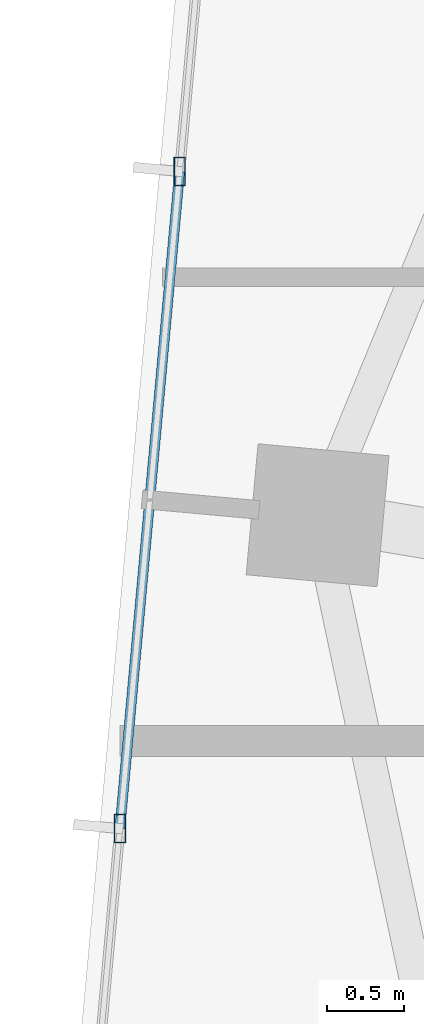
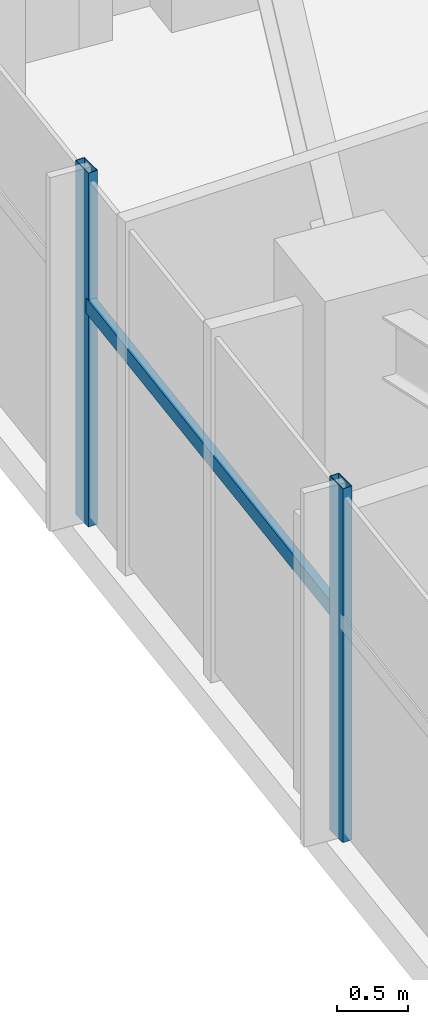
# One storey, part 4 of 22: 3 members, 1 element without a shape of its own.
"""IFC4 building model written with IfcOpenShell, lengths in metres."""

from ifc_helpers import new_model, si_unit, direction, frame, origin, origin_2d, place, context, subcontext, project, spatial, hollow_rectangle, extrude, source, transform, mapped, material, material_profile, profile_set, type_object, type_shapes, element, aggregate, save


model = new_model("IFC4")

# Units and contexts
model_context = context("Model", 3, precision=1e-05, world=origin(), true_north=direction((0.0, 1.0)))
body_context = subcontext(model_context, "Body", "Model", "MODEL_VIEW")
ifc_project = project(units=[si_unit("LENGTHUNIT", "METRE"), si_unit("AREAUNIT", "SQUARE_METRE"), si_unit("VOLUMEUNIT", "CUBIC_METRE"), si_unit("PLANEANGLEUNIT", "RADIAN"), si_unit("MASSUNIT", "GRAM", prefix="KILO")], contexts=[model_context])

# Site, building, storey
site_placement = place(None, origin())
site = spatial("IfcSite", under=ifc_project, at=site_placement, CompositionType="ELEMENT")
building_placement = place(site_placement, origin())
building = spatial("IfcBuilding", under=site, at=building_placement, Name="Astriad Promenade Condominiums", CompositionType="ELEMENT")
storey_placement = place(building_placement, frame((0.0, 0.0, 246.300048828125)))
storey = spatial("IfcBuildingStorey", under=building, at=storey_placement, Name="L71", CompositionType="ELEMENT", Elevation=246.300048828125)

# Curtain wall, members
ifc_material_1 = material(Name="Anodised aluminium Black Dark Glass Unitised", Category="aluminium")
curtain_wall_type = type_object("IfcCurtainWallType", Name="CW-B5-DARK", PredefinedType="USERDEFINED", material=ifc_material_1)
curtain_wall_placement = place(storey_placement, origin())
curtain_wall = element("IfcCurtainWall", 1, at=curtain_wall_placement, inside=storey, type_object=curtain_wall_type, Name="CW-L71-W", ObjectType="UNITISED_CURTAIN_WALL", PredefinedType="USERDEFINED")
ifc_material_2 = material(Name="Anodised aluminium 6063-T6 Black", Category="aluminium")
ifc_material_profile_1 = material_profile(ifc_material_2, hollow_rectangle(XDim=0.06494140625, YDim=0.1298828125, WallThickness=0.00390625, at=origin_2d()), Name="ALU-TRN-65X130")
ifc_profile_set_1 = profile_set([ifc_material_profile_1], Name="Anodised aluminium 6063-T6 Black")
member_type_1 = type_object("IfcMemberType", Name="TRN-ALU-TRN-65X130", PredefinedType="USERDEFINED", material=ifc_profile_set_1)
shared_shape_1 = source(origin(), body_context, "Body", "SweptSolid", [
    extrude(hollow_rectangle(XDim=0.06494140625, YDim=0.1298828125, WallThickness=0.00390625, at=origin_2d()), origin(), (0.0, 0.0, 1.0), 4.266845703125),
])
type_shapes(member_type_1, [shared_shape_1])
member_1_placement = place(storey_placement, frame((9.4326171875, 17.984375, 1.884765625), z_axis=(0.090577018386, 0.995889453574, 0.0), x_axis=(-0.995889453574, 0.090577018386, 0.0)))
member_1 = element("IfcMember", 2, at=member_1_placement, type_object=member_type_1, Name="CW-L71-W-TRN-01-0", ObjectType="TRANSOM", PredefinedType="USERDEFINED", context=body_context, shape_type="MappedRepresentation", body=[
    mapped(shared_shape_1, transform((0.0, 0.0, 0.0), scale=1.0)),
])
ifc_material_profile_2 = material_profile(ifc_material_2, hollow_rectangle(XDim=0.074951171875, YDim=0.18505859375, WallThickness=0.00439453125, at=origin_2d()), Name="ALU-MUL-75X185")
ifc_profile_set_2 = profile_set([ifc_material_profile_2], Name="Anodised aluminium 6063-T6 Black")
member_type_2 = type_object("IfcMemberType", Name="MUL-ALU-MUL-75X185", PredefinedType="MULLION", material=ifc_profile_set_2)
shared_shape_2 = source(origin(), body_context, "Body", "SweptSolid", [
    extrude(hollow_rectangle(XDim=0.074951171875, YDim=0.18505859375, WallThickness=0.00439453125, at=origin_2d()), origin(), (0.0, 0.0, 1.0), 3.0400390625),
])
type_shapes(member_type_2, [shared_shape_2])
member_2_placement = place(storey_placement, frame((9.4326171875, 17.984375, 0.0), z_axis=(0.0, 0.0, 1.0), x_axis=(1.0, 0.0, 0.0)))
member_2 = element("IfcMember", 3, at=member_2_placement, type_object=member_type_2, Name="CW-L71-W-MUL-01", PredefinedType="MULLION", context=body_context, shape_type="MappedRepresentation", body=[
    mapped(shared_shape_2, transform((0.0, 0.0, 0.0), scale=1.0)),
])
member_3_placement = place(storey_placement, frame((9.819091796875, 22.233642578125, 0.0), z_axis=(0.0, 0.0, 1.0), x_axis=(1.0, 0.0, 0.0)))
member_3 = element("IfcMember", 4, at=member_3_placement, type_object=member_type_2, Name="CW-L71-W-MUL-02", PredefinedType="MULLION", context=body_context, shape_type="MappedRepresentation", body=[
    mapped(shared_shape_2, transform((0.0, 0.0, 0.0), scale=1.0)),
])
aggregate(curtain_wall, [member_2, member_3, member_1])

save(model, "model.ifc")
